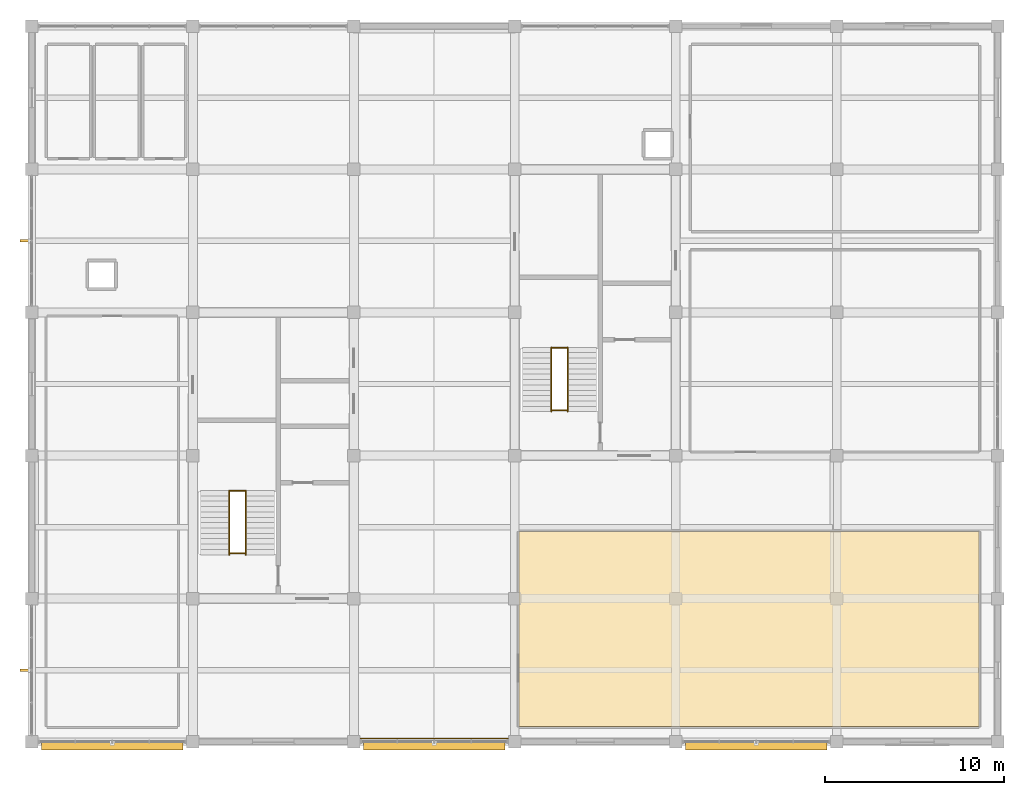
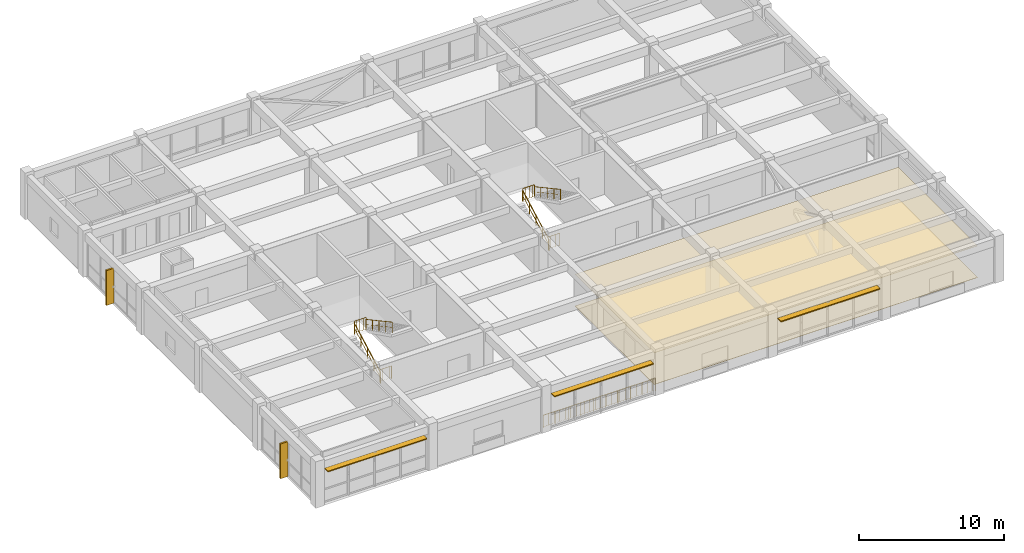
# One storey, part 13 of 13: 9 railings, 5 shading devices, 2 coverings.
"""IFC4 building model written with IfcOpenShell, lengths in metres."""

import ifcopenshell
import ifcopenshell.guid

model = None  # the IFC model being written
_history = None  # IfcOwnerHistory: only IFC2X3 demands one
_inside = {}  # id of a spatial element -> (the spatial element, [elements in it])
_under = {}  # id of a project, library or spatial element -> (it, [spatial elements below it])
_declared = {}  # id of a project -> (the project, [libraries it declares])
_typed = {}  # id of a type object -> (the type object, [elements of that type])
_made_of = {}  # id of a material, layer set ... -> (it, [elements and type objects made of it])


def new_model(schema):
    """Start an empty IFC model of exactly this schema.

    Asked for "IFC4X3", IfcOpenShell would pick the latest addendum, in which some entities
    have other attributes; the version numbers below select the first issue.
    IFC2X3 requires an IfcOwnerHistory on every rooted entity: one is made here for all.
    """
    global model, _history
    if schema == "IFC4X3":
        model = ifcopenshell.file(schema_version=(4, 3, 0, 0))
    else:
        model = ifcopenshell.file(schema=schema)
    _inside.clear()
    _under.clear()
    _declared.clear()
    _typed.clear()
    _made_of.clear()
    _history = None
    if model.schema == "IFC2X3":
        org = make("IfcOrganization", Name="unknown")
        user = make(
            "IfcPersonAndOrganization",
            ThePerson=make("IfcPerson", FamilyName="unknown"),
            TheOrganization=org,
        )
        app = make(
            "IfcApplication",
            ApplicationDeveloper=org,
            Version="unknown",
            ApplicationFullName="unknown",
            ApplicationIdentifier="unknown",
        )
        _history = make(
            "IfcOwnerHistory",
            OwningUser=user,
            OwningApplication=app,
            ChangeAction="ADDED",
            CreationDate=0,
        )
    return model


def make(cls, **values):
    """One entity of the class cls with the attributes given. An attribute that is None is left unset."""
    return model.create_entity(
        cls, **{name: value for name, value in values.items() if value is not None}
    )


def rooted(cls, **values):
    """An entity with a GlobalId (a new one), such as an element, a storey or a relation."""
    return make(cls, GlobalId=ifcopenshell.guid.new(), OwnerHistory=_history, **values)


def si_unit(unit_type, name, prefix=None):
    """IfcSIUnit, for example si_unit("LENGTHUNIT", "METRE", prefix="MILLI")."""
    return make("IfcSIUnit", UnitType=unit_type, Prefix=prefix, Name=name)


def assignment(units):
    """IfcUnitAssignment: the units of a project."""
    return None if units is None else make("IfcUnitAssignment", Units=units)


def point(xyz):
    """IfcCartesianPoint."""
    return None if xyz is None else make("IfcCartesianPoint", Coordinates=xyz)


def direction(xyz):
    """IfcDirection."""
    return None if xyz is None else make("IfcDirection", DirectionRatios=xyz)


def frame(location, z_axis=None, x_axis=None):
    """IfcAxis2Placement3D, a coordinate frame: its origin and axes. An axis left out is left unset."""
    return make(
        "IfcAxis2Placement3D",
        Location=point(location),
        Axis=direction(z_axis),
        RefDirection=direction(x_axis),
    )


def frame_2d(location, x_axis=None):
    """IfcAxis2Placement2D, a coordinate frame in the plane: its origin and x axis."""
    return make(
        "IfcAxis2Placement2D", Location=point(location), RefDirection=direction(x_axis)
    )


def origin():
    """The frame at (0, 0, 0) with its axes left unset."""
    return frame((0.0, 0.0, 0.0))


def origin_2d():
    """The frame at (0, 0) in the plane with its x axis left unset."""
    return frame_2d((0.0, 0.0))


def place(relative_to, where):
    """IfcLocalPlacement: puts the frame where relative to a parent placement (None: the world)."""
    return make(
        "IfcLocalPlacement", PlacementRelTo=relative_to, RelativePlacement=where
    )


def context(
    kind, dimensions, precision=None, world=None, true_north=None, identifier=None
):
    """IfcGeometricRepresentationContext, for example the 3D "Model" context."""
    return make(
        "IfcGeometricRepresentationContext",
        ContextIdentifier=identifier,
        ContextType=kind,
        CoordinateSpaceDimension=dimensions,
        Precision=precision,
        WorldCoordinateSystem=world,
        TrueNorth=true_north,
    )


def subcontext(parent, identifier, kind, view, scale=None):
    """IfcGeometricRepresentationSubContext, for example "Body" below "Model"."""
    return make(
        "IfcGeometricRepresentationSubContext",
        ContextIdentifier=identifier,
        ContextType=kind,
        ParentContext=parent,
        TargetScale=scale,
        TargetView=view,
    )


def project(units=None, contexts=None):
    """IfcProject with its units and contexts."""
    return rooted(
        "IfcProject",
        Name="project",
        RepresentationContexts=contexts,
        UnitsInContext=assignment(units),
    )


def spatial(cls, under=None, at=None, **own):
    """A site, building, storey or space (cls), placed at a placement, below another one or the project."""
    s = rooted(cls, ObjectPlacement=at, **own)
    if under is not None:
        _under.setdefault(under.id(), (under, []))[1].append(s)
    return s


def polyline(points):
    """IfcPolyline through the points."""
    return make("IfcPolyline", Points=[point(p) for p in points])


def profile(cls, at=None, kind="AREA", **sizes):
    """A parametric profile (cls). Its sizes go by their IFC names, for example OverallWidth=200.0."""
    return make(cls, ProfileType=kind, Position=at, **sizes)


def rectangle(**sizes):
    """IfcRectangleProfileDef."""
    return profile("IfcRectangleProfileDef", **sizes)


def circle(**sizes):
    """IfcCircleProfileDef."""
    return profile("IfcCircleProfileDef", **sizes)


def outline(outer, holes=None, kind="AREA"):
    """IfcArbitraryClosedProfileDef: a profile drawn as a closed curve; with holes, ...WithVoids."""
    if holes is None:
        return make("IfcArbitraryClosedProfileDef", ProfileType=kind, OuterCurve=outer)
    return make(
        "IfcArbitraryProfileDefWithVoids",
        ProfileType=kind,
        OuterCurve=outer,
        InnerCurves=holes,
    )


def extrude(swept, where, along, depth):
    """IfcExtrudedAreaSolid: the profile swept, set in the frame where, extruded along a direction by depth."""
    return make(
        "IfcExtrudedAreaSolid",
        SweptArea=swept,
        Position=where,
        ExtrudedDirection=direction(along),
        Depth=depth,
    )


def shape(context_of_items, identifier, shape_type, items):
    """IfcShapeRepresentation: the items that make up one representation, for example the "Body"."""
    return make(
        "IfcShapeRepresentation",
        ContextOfItems=context_of_items,
        RepresentationIdentifier=identifier,
        RepresentationType=shape_type,
        Items=items,
    )


def material(Name=None, Category=None):
    """IfcMaterial."""
    return make("IfcMaterial", Name=Name, Category=Category)


def layer(
    of_material, thickness, ventilated=None, Name=None, Category=None, Priority=None
):
    """IfcMaterialLayer: one layer of a wall or slab, of a material (None: an air gap)."""
    return make(
        "IfcMaterialLayer",
        Material=of_material,
        LayerThickness=thickness,
        IsVentilated=ventilated,
        Name=Name,
        Category=Category,
        Priority=Priority,
    )


def layer_set(layers, Name=None):
    """IfcMaterialLayerSet."""
    return make("IfcMaterialLayerSet", MaterialLayers=layers, LayerSetName=Name)


def made_of(thing, what):
    """Note that an element or type object is made of a material, layer set ...; save() writes the relation."""
    if what is not None:
        _made_of.setdefault(what.id(), (what, []))[1].append(thing)
    return thing


def type_object(cls, material=None, **own):
    """A type object (cls), such as IfcWallType, which elements share."""
    return made_of(rooted(cls, **own), material)


def element(
    cls,
    number,
    at=None,
    inside=None,
    cuts=None,
    type_object=None,
    material=None,
    context=None,
    identifier="Body",
    shape_type=None,
    held_by="IfcProductDefinitionShape",
    body=None,
    shapes=None,
    **own,
):
    """One element of the class cls, such as IfcWall. Its Tag is "e" and its number.

    at: its placement. inside: the storey or other place that contains it. cuts: it is an
    opening in that element (IfcRelVoidsElement). A single representation is given by context,
    identifier, shape_type and body (its items); several are given by shapes. held_by: the class
    of the entity that holds the representations. save() writes the other relations.
    """
    e = rooted(cls, Tag="e%d" % number, ObjectPlacement=at, **own)
    if body is not None:
        shapes = [shape(context, identifier, shape_type, body)]
    if shapes is not None:
        e.Representation = make(held_by, Representations=shapes)
    if inside is not None:
        _inside.setdefault(inside.id(), (inside, []))[1].append(e)
    if cuts is not None:
        rooted(
            "IfcRelVoidsElement", RelatingBuildingElement=cuts, RelatedOpeningElement=e
        )
    if type_object is not None:
        _typed.setdefault(type_object.id(), (type_object, []))[1].append(e)
    return made_of(e, material)


def aggregate(whole, parts):
    """IfcRelAggregates: a whole, such as a stair, and the parts it consists of."""
    return rooted("IfcRelAggregates", RelatingObject=whole, RelatedObjects=parts)


def save(model, path):
    """Write the relations noted so far, then the file.

    IfcRelAggregates (storeys below a building ...), IfcRelContainedInSpatialStructure (elements
    in a storey), IfcRelDefinesByType, IfcRelAssociatesMaterial and IfcRelDeclares: one each for
    every whole, place, type object, material and project.
    """
    for whole, parts in _under.values():
        aggregate(whole, parts)
    for where, things in _inside.values():
        rooted(
            "IfcRelContainedInSpatialStructure",
            RelatedElements=things,
            RelatingStructure=where,
        )
    for kind, things in _typed.values():
        rooted("IfcRelDefinesByType", RelatedObjects=things, RelatingType=kind)
    for what, things in _made_of.values():
        rooted("IfcRelAssociatesMaterial", RelatedObjects=things, RelatingMaterial=what)
    for by, libraries in _declared.values():
        rooted("IfcRelDeclares", RelatingContext=by, RelatedDefinitions=libraries)
    model.write(path)


model = new_model("IFC4")

# Units and contexts
model_context = context("Model", 3, precision=1e-05, world=origin(), true_north=direction((0.0, 1.0)))
body_context = subcontext(model_context, "Body", "Model", "MODEL_VIEW")
ifc_project = project(units=[si_unit("LENGTHUNIT", "METRE"), si_unit("AREAUNIT", "SQUARE_METRE"), si_unit("VOLUMEUNIT", "CUBIC_METRE"), si_unit("PLANEANGLEUNIT", "RADIAN"), si_unit("MASSUNIT", "GRAM", prefix="KILO")], contexts=[model_context])

# Site, building, storey
site_placement = place(None, origin())
site = spatial("IfcSite", under=ifc_project, at=site_placement, CompositionType="ELEMENT")
building_placement = place(site_placement, origin())
building = spatial("IfcBuilding", under=site, at=building_placement, Name="Zaverband Oceanarium and Marine Research Institute", CompositionType="ELEMENT")
storey_placement = place(building_placement, frame((0.0, 0.0, 60.89990234375)))
storey = spatial("IfcBuildingStorey", under=building, at=storey_placement, Name="L15", CompositionType="ELEMENT", Elevation=60.89990234375)

# Coverings
ifc_material_1 = material(Name="Perforated mineral-fibre acoustic ceiling tile")
ifc_layer_1 = layer(ifc_material_1, 0.02490234375, Name="Perforated mineral-fibre acoustic ceiling tile")
ifc_layer_set_1 = layer_set([ifc_layer_1], Name="Perforated mineral-fibre acoustic ceiling tile")
covering_type_1 = type_object("IfcCoveringType", Name="CLG-AC-15", PredefinedType="CEILING", material=ifc_layer_set_1)
covering_1_placement = place(storey_placement, frame((0.0, 0.0, 2.66015625)))
element("IfcCovering", 1, at=covering_1_placement, inside=storey, type_object=covering_type_1, Name="Suspended acoustic ceiling CLG-AC-15", PredefinedType="CEILING", context=body_context, shape_type="SweptSolid", body=[
    extrude(outline(polyline([(36.25, 72.85009765625), (61.949951171875, 72.85009765625), (61.949951171875, 83.75), (36.25, 83.75), (36.25, 72.85009765625)])), origin(), (0.0, 0.0, 1.0), 0.02490234375),
])
ifc_material_2 = material(Name="Polished marine terrazzo and seamless laboratory epoxy flooring")
ifc_layer_2 = layer(ifc_material_2, 0.02490234375, Name="Polished marine terrazzo and seamless laboratory epoxy flooring")
ifc_layer_set_2 = layer_set([ifc_layer_2], Name="Polished marine terrazzo and seamless laboratory epoxy flooring")
covering_type_2 = type_object("IfcCoveringType", Name="FLR-TRZ-20", PredefinedType="FLOORING", material=ifc_layer_set_2)
covering_2_placement = place(storey_placement, origin())
element("IfcCovering", 2, at=covering_2_placement, inside=storey, type_object=covering_type_2, Name="Terrazzo and marine epoxy floor finish FLR-TRZ-20", PredefinedType="FLOORING", context=body_context, shape_type="SweptSolid", body=[
    extrude(outline(polyline([(36.25, 72.85009765625), (61.949951171875, 72.85009765625), (61.949951171875, 83.75), (36.25, 83.75), (36.25, 72.85009765625)])), origin(), (0.0, 0.0, 1.0), 0.025146484375),
])

# Railings
ifc_material_3 = material(Name="Steel S355", Category="steel")
ifc_layer_3 = layer(ifc_material_3, 0.06005859375, Name="Steel S355")
ifc_layer_set_3 = layer_set([ifc_layer_3], Name="Steel S355")
railing_type_1 = type_object("IfcRailingType", Name="GRD-1100", PredefinedType="BALUSTRADE", material=ifc_layer_set_3)
for number, where, name in (
    (3, (20.0400390625, 86.030029296875, 1.9501953125), "1100 mm steel post-and-baluster safety guard GRD-1100"),
    (4, (20.0400390625, 82.530029296875, 0.0), "1100 mm steel post-and-baluster safety guard GRD-1100"),
    (5, (38.0400390625, 94.030029296875, 1.9501953125), "1100 mm steel post-and-baluster safety guard GRD-1100"),
    (6, (38.0400390625, 90.530029296875, 0.0), "1100 mm steel post-and-baluster safety guard GRD-1100"),
):
    element("IfcRailing", number, at=place(storey_placement, frame(where)), inside=storey, type_object=railing_type_1, Name=name, PredefinedType="BALUSTRADE", context=body_context, shape_type="SweptSolid", body=[
        extrude(circle(Radius=0.02392578125, at=origin_2d()), frame((0.0, 0.0, 1.076171875), z_axis=(1.0, 0.0, 0.0), x_axis=(0.0, 1.0, 0.0)), (0.0, 0.0, 1.0), 0.919921875),
        extrude(circle(Radius=0.009033203125, at=origin_2d()), frame((0.0, 0.0, 0.10009765625), z_axis=(1.0, 0.0, 0.0), x_axis=(0.0, 1.0, 0.0)), (0.0, 0.0, 1.0), 0.919921875),
        extrude(circle(Radius=0.009033203125, at=origin_2d()), frame((0.18408203125, 0.0, 0.10009765625)), (0.0, 0.0, 1.0), 0.951904296875),
        extrude(circle(Radius=0.009033203125, at=origin_2d()), frame((0.367919921875, 0.0, 0.10009765625)), (0.0, 0.0, 1.0), 0.951904296875),
        extrude(circle(Radius=0.009033203125, at=origin_2d()), frame((0.552001953125, 0.0, 0.10009765625)), (0.0, 0.0, 1.0), 0.951904296875),
        extrude(circle(Radius=0.009033203125, at=origin_2d()), frame((0.73583984375, 0.0, 0.10009765625)), (0.0, 0.0, 1.0), 0.951904296875),
        extrude(circle(Radius=0.02099609375, at=origin_2d()), origin(), (0.0, 0.0, 1.0), 1.052001953125),
        extrude(circle(Radius=0.02099609375, at=origin_2d()), frame((0.919921875, 0.0, 0.0)), (0.0, 0.0, 1.0), 1.052001953125),
    ])
railing_1_placement = place(storey_placement, frame((27.050048828125, 72.179931640625, 0.0)))
element("IfcRailing", 7, at=railing_1_placement, inside=storey, type_object=railing_type_1, Name="1100 mm steel post-and-baluster safety guard GRD-1100", PredefinedType="BALUSTRADE", context=body_context, shape_type="SweptSolid", body=[
    extrude(circle(Radius=0.02392578125, at=origin_2d()), frame((0.0, 0.0, 1.076171875), z_axis=(1.0, 0.0, 0.0), x_axis=(0.0, 1.0, 0.0)), (0.0, 0.0, 1.0), 8.89990234375),
    extrude(circle(Radius=0.009033203125, at=origin_2d()), frame((0.0, 0.0, 0.10009765625), z_axis=(1.0, 0.0, 0.0), x_axis=(0.0, 1.0, 0.0)), (0.0, 0.0, 1.0), 8.89990234375),
    extrude(circle(Radius=0.009033203125, at=origin_2d()), frame((0.217041015625, 0.0, 0.10009765625)), (0.0, 0.0, 1.0), 0.951904296875),
    extrude(circle(Radius=0.009033203125, at=origin_2d()), frame((0.43408203125, 0.0, 0.10009765625)), (0.0, 0.0, 1.0), 0.951904296875),
    extrude(circle(Radius=0.009033203125, at=origin_2d()), frame((0.651123046875, 0.0, 0.10009765625)), (0.0, 0.0, 1.0), 0.951904296875),
    extrude(circle(Radius=0.009033203125, at=origin_2d()), frame((0.8681640625, 0.0, 0.10009765625)), (0.0, 0.0, 1.0), 0.951904296875),
    extrude(circle(Radius=0.009033203125, at=origin_2d()), frame((1.08544921875, 0.0, 0.10009765625)), (0.0, 0.0, 1.0), 0.951904296875),
    extrude(circle(Radius=0.009033203125, at=origin_2d()), frame((1.302490234375, 0.0, 0.10009765625)), (0.0, 0.0, 1.0), 0.951904296875),
    extrude(circle(Radius=0.009033203125, at=origin_2d()), frame((1.51953125, 0.0, 0.10009765625)), (0.0, 0.0, 1.0), 0.951904296875),
    extrude(circle(Radius=0.009033203125, at=origin_2d()), frame((1.736572265625, 0.0, 0.10009765625)), (0.0, 0.0, 1.0), 0.951904296875),
    extrude(circle(Radius=0.009033203125, at=origin_2d()), frame((1.95361328125, 0.0, 0.10009765625)), (0.0, 0.0, 1.0), 0.951904296875),
    extrude(circle(Radius=0.009033203125, at=origin_2d()), frame((2.170654296875, 0.0, 0.10009765625)), (0.0, 0.0, 1.0), 0.951904296875),
    extrude(circle(Radius=0.009033203125, at=origin_2d()), frame((2.3876953125, 0.0, 0.10009765625)), (0.0, 0.0, 1.0), 0.951904296875),
    extrude(circle(Radius=0.009033203125, at=origin_2d()), frame((2.604736328125, 0.0, 0.10009765625)), (0.0, 0.0, 1.0), 0.951904296875),
    extrude(circle(Radius=0.009033203125, at=origin_2d()), frame((2.822021484375, 0.0, 0.10009765625)), (0.0, 0.0, 1.0), 0.951904296875),
    extrude(circle(Radius=0.009033203125, at=origin_2d()), frame((3.0390625, 0.0, 0.10009765625)), (0.0, 0.0, 1.0), 0.951904296875),
    extrude(circle(Radius=0.009033203125, at=origin_2d()), frame((3.256103515625, 0.0, 0.10009765625)), (0.0, 0.0, 1.0), 0.951904296875),
    extrude(circle(Radius=0.009033203125, at=origin_2d()), frame((3.47314453125, 0.0, 0.10009765625)), (0.0, 0.0, 1.0), 0.951904296875),
    extrude(circle(Radius=0.009033203125, at=origin_2d()), frame((3.690185546875, 0.0, 0.10009765625)), (0.0, 0.0, 1.0), 0.951904296875),
    extrude(circle(Radius=0.009033203125, at=origin_2d()), frame((3.9072265625, 0.0, 0.10009765625)), (0.0, 0.0, 1.0), 0.951904296875),
    extrude(circle(Radius=0.009033203125, at=origin_2d()), frame((4.124267578125, 0.0, 0.10009765625)), (0.0, 0.0, 1.0), 0.951904296875),
    extrude(circle(Radius=0.009033203125, at=origin_2d()), frame((4.34130859375, 0.0, 0.10009765625)), (0.0, 0.0, 1.0), 0.951904296875),
    extrude(circle(Radius=0.009033203125, at=origin_2d()), frame((4.55859375, 0.0, 0.10009765625)), (0.0, 0.0, 1.0), 0.951904296875),
    extrude(circle(Radius=0.009033203125, at=origin_2d()), frame((4.775634765625, 0.0, 0.10009765625)), (0.0, 0.0, 1.0), 0.951904296875),
    extrude(circle(Radius=0.009033203125, at=origin_2d()), frame((4.99267578125, 0.0, 0.10009765625)), (0.0, 0.0, 1.0), 0.951904296875),
    extrude(circle(Radius=0.009033203125, at=origin_2d()), frame((5.209716796875, 0.0, 0.10009765625)), (0.0, 0.0, 1.0), 0.951904296875),
    extrude(circle(Radius=0.009033203125, at=origin_2d()), frame((5.4267578125, 0.0, 0.10009765625)), (0.0, 0.0, 1.0), 0.951904296875),
    extrude(circle(Radius=0.009033203125, at=origin_2d()), frame((5.643798828125, 0.0, 0.10009765625)), (0.0, 0.0, 1.0), 0.951904296875),
    extrude(circle(Radius=0.009033203125, at=origin_2d()), frame((5.86083984375, 0.0, 0.10009765625)), (0.0, 0.0, 1.0), 0.951904296875),
    extrude(circle(Radius=0.009033203125, at=origin_2d()), frame((6.077880859375, 0.0, 0.10009765625)), (0.0, 0.0, 1.0), 0.951904296875),
    extrude(circle(Radius=0.009033203125, at=origin_2d()), frame((6.295166015625, 0.0, 0.10009765625)), (0.0, 0.0, 1.0), 0.951904296875),
    extrude(circle(Radius=0.009033203125, at=origin_2d()), frame((6.51220703125, 0.0, 0.10009765625)), (0.0, 0.0, 1.0), 0.951904296875),
    extrude(circle(Radius=0.009033203125, at=origin_2d()), frame((6.729248046875, 0.0, 0.10009765625)), (0.0, 0.0, 1.0), 0.951904296875),
    extrude(circle(Radius=0.009033203125, at=origin_2d()), frame((6.9462890625, 0.0, 0.10009765625)), (0.0, 0.0, 1.0), 0.951904296875),
    extrude(circle(Radius=0.009033203125, at=origin_2d()), frame((7.163330078125, 0.0, 0.10009765625)), (0.0, 0.0, 1.0), 0.951904296875),
    extrude(circle(Radius=0.009033203125, at=origin_2d()), frame((7.38037109375, 0.0, 0.10009765625)), (0.0, 0.0, 1.0), 0.951904296875),
    extrude(circle(Radius=0.009033203125, at=origin_2d()), frame((7.597412109375, 0.0, 0.10009765625)), (0.0, 0.0, 1.0), 0.951904296875),
    extrude(circle(Radius=0.009033203125, at=origin_2d()), frame((7.814453125, 0.0, 0.10009765625)), (0.0, 0.0, 1.0), 0.951904296875),
    extrude(circle(Radius=0.009033203125, at=origin_2d()), frame((8.03173828125, 0.0, 0.10009765625)), (0.0, 0.0, 1.0), 0.951904296875),
    extrude(circle(Radius=0.009033203125, at=origin_2d()), frame((8.248779296875, 0.0, 0.10009765625)), (0.0, 0.0, 1.0), 0.951904296875),
    extrude(circle(Radius=0.009033203125, at=origin_2d()), frame((8.4658203125, 0.0, 0.10009765625)), (0.0, 0.0, 1.0), 0.951904296875),
    extrude(circle(Radius=0.009033203125, at=origin_2d()), frame((8.682861328125, 0.0, 0.10009765625)), (0.0, 0.0, 1.0), 0.951904296875),
    extrude(circle(Radius=0.02099609375, at=origin_2d()), origin(), (0.0, 0.0, 1.0), 1.052001953125),
    extrude(circle(Radius=0.02099609375, at=origin_2d()), frame((0.98876953125, 0.0, 0.0)), (0.0, 0.0, 1.0), 1.052001953125),
    extrude(circle(Radius=0.02099609375, at=origin_2d()), frame((1.977783203125, 0.0, 0.0)), (0.0, 0.0, 1.0), 1.052001953125),
    extrude(circle(Radius=0.02099609375, at=origin_2d()), frame((2.966552734375, 0.0, 0.0)), (0.0, 0.0, 1.0), 1.052001953125),
    extrude(circle(Radius=0.02099609375, at=origin_2d()), frame((3.95556640625, 0.0, 0.0)), (0.0, 0.0, 1.0), 1.052001953125),
    extrude(circle(Radius=0.02099609375, at=origin_2d()), frame((4.9443359375, 0.0, 0.0)), (0.0, 0.0, 1.0), 1.052001953125),
    extrude(circle(Radius=0.02099609375, at=origin_2d()), frame((5.933349609375, 0.0, 0.0)), (0.0, 0.0, 1.0), 1.052001953125),
    extrude(circle(Radius=0.02099609375, at=origin_2d()), frame((6.922119140625, 0.0, 0.0)), (0.0, 0.0, 1.0), 1.052001953125),
    extrude(circle(Radius=0.02099609375, at=origin_2d()), frame((7.9111328125, 0.0, 0.0)), (0.0, 0.0, 1.0), 1.052001953125),
    extrude(circle(Radius=0.02099609375, at=origin_2d()), frame((8.89990234375, 0.0, 0.0)), (0.0, 0.0, 1.0), 1.052001953125),
])
ifc_layer_4 = layer(ifc_material_3, 0.050048828125, Name="Steel S355")
ifc_layer_set_4 = layer_set([ifc_layer_4], Name="Steel S355")
railing_type_2 = type_object("IfcRailingType", Name="HR-920", PredefinedType="HANDRAIL", material=ifc_layer_set_4)
railing_2_placement = place(storey_placement, frame((20.0400390625, 82.449951171875, 0.0)))
element("IfcRailing", 8, at=railing_2_placement, inside=storey, type_object=railing_type_2, Name="920 mm continuous tubular stair and ramp handrail HR-920", PredefinedType="HANDRAIL", context=body_context, shape_type="SweptSolid", body=[
    extrude(circle(Radius=0.02392578125, at=origin_2d()), frame((0.0, 0.0, 0.89599609375), z_axis=(0.0, 0.879277399237, 0.476310041035), x_axis=(-1.0, 0.0, 0.0)), (0.0, 0.0, 1.0), 4.094482421875),
    extrude(circle(Radius=0.009033203125, at=origin_2d()), frame((0.0, 0.0, 0.4599609375), z_axis=(0.0, 0.879277399237, 0.476310041035), x_axis=(-1.0, 0.0, 0.0)), (0.0, 0.0, 1.0), 4.094482421875),
    extrude(circle(Radius=0.02099609375, at=origin_2d()), origin(), (0.0, 0.0, 1.0), 0.871826171875),
    extrude(circle(Radius=0.02099609375, at=origin_2d()), frame((0.0, 0.89990234375, 0.487548828125)), (0.0, 0.0, 1.0), 0.871826171875),
    extrude(circle(Radius=0.02099609375, at=origin_2d()), frame((0.0, 1.800048828125, 0.97509765625)), (0.0, 0.0, 1.0), 0.871826171875),
    extrude(circle(Radius=0.02099609375, at=origin_2d()), frame((0.0, 2.7001953125, 1.462646484375)), (0.0, 0.0, 1.0), 0.871826171875),
    extrude(circle(Radius=0.02099609375, at=origin_2d()), frame((0.0, 3.60009765625, 1.9501953125)), (0.0, 0.0, 1.0), 0.871826171875),
])
railing_3_placement = place(storey_placement, frame((20.9599609375, 86.050048828125, 1.9501953125)))
element("IfcRailing", 9, at=railing_3_placement, inside=storey, type_object=railing_type_2, Name="920 mm continuous tubular stair and ramp handrail HR-920", PredefinedType="HANDRAIL", context=body_context, shape_type="SweptSolid", body=[
    extrude(circle(Radius=0.02392578125, at=origin_2d()), frame((0.0, 0.0, 0.89599609375), z_axis=(0.0, -0.879302371543, 0.476263938798), x_axis=(1.0, 0.0, 0.0)), (0.0, 0.0, 1.0), 4.09423828125),
    extrude(circle(Radius=0.009033203125, at=origin_2d()), frame((0.0, 0.0, 0.4599609375), z_axis=(0.0, -0.879302371543, 0.476263938798), x_axis=(1.0, 0.0, 0.0)), (0.0, 0.0, 1.0), 4.09423828125),
    extrude(circle(Radius=0.02099609375, at=origin_2d()), origin(), (0.0, 0.0, 1.0), 0.871826171875),
    extrude(circle(Radius=0.02099609375, at=origin_2d()), frame((0.0, -0.89990234375, 0.487548828125)), (0.0, 0.0, 1.0), 0.871826171875),
    extrude(circle(Radius=0.02099609375, at=origin_2d()), frame((0.0, -1.800048828125, 0.97509765625)), (0.0, 0.0, 1.0), 0.871826171875),
    extrude(circle(Radius=0.02099609375, at=origin_2d()), frame((0.0, -2.7001953125, 1.46240234375)), (0.0, 0.0, 1.0), 0.871826171875),
    extrude(circle(Radius=0.02099609375, at=origin_2d()), frame((0.0, -3.60009765625, 1.949951171875)), (0.0, 0.0, 1.0), 0.871826171875),
])
railing_4_placement = place(storey_placement, frame((38.0400390625, 90.449951171875, 0.0)))
element("IfcRailing", 10, at=railing_4_placement, inside=storey, type_object=railing_type_2, Name="920 mm continuous tubular stair and ramp handrail HR-920", PredefinedType="HANDRAIL", context=body_context, shape_type="SweptSolid", body=[
    extrude(circle(Radius=0.02392578125, at=origin_2d()), frame((0.0, 0.0, 0.89599609375), z_axis=(0.0, 0.879277399237, 0.476310041035), x_axis=(-1.0, 0.0, 0.0)), (0.0, 0.0, 1.0), 4.094482421875),
    extrude(circle(Radius=0.009033203125, at=origin_2d()), frame((0.0, 0.0, 0.4599609375), z_axis=(0.0, 0.879277399237, 0.476310041035), x_axis=(-1.0, 0.0, 0.0)), (0.0, 0.0, 1.0), 4.094482421875),
    extrude(circle(Radius=0.02099609375, at=origin_2d()), origin(), (0.0, 0.0, 1.0), 0.871826171875),
    extrude(circle(Radius=0.02099609375, at=origin_2d()), frame((0.0, 0.89990234375, 0.487548828125)), (0.0, 0.0, 1.0), 0.871826171875),
    extrude(circle(Radius=0.02099609375, at=origin_2d()), frame((0.0, 1.800048828125, 0.97509765625)), (0.0, 0.0, 1.0), 0.871826171875),
    extrude(circle(Radius=0.02099609375, at=origin_2d()), frame((0.0, 2.7001953125, 1.462646484375)), (0.0, 0.0, 1.0), 0.871826171875),
    extrude(circle(Radius=0.02099609375, at=origin_2d()), frame((0.0, 3.60009765625, 1.9501953125)), (0.0, 0.0, 1.0), 0.871826171875),
])
railing_5_placement = place(storey_placement, frame((38.9599609375, 94.050048828125, 1.9501953125)))
element("IfcRailing", 11, at=railing_5_placement, inside=storey, type_object=railing_type_2, Name="920 mm continuous tubular stair and ramp handrail HR-920", PredefinedType="HANDRAIL", context=body_context, shape_type="SweptSolid", body=[
    extrude(circle(Radius=0.02392578125, at=origin_2d()), frame((0.0, 0.0, 0.89599609375), z_axis=(0.0, -0.879302371543, 0.476263938798), x_axis=(1.0, 0.0, 0.0)), (0.0, 0.0, 1.0), 4.09423828125),
    extrude(circle(Radius=0.009033203125, at=origin_2d()), frame((0.0, 0.0, 0.4599609375), z_axis=(0.0, -0.879302371543, 0.476263938798), x_axis=(1.0, 0.0, 0.0)), (0.0, 0.0, 1.0), 4.09423828125),
    extrude(circle(Radius=0.02099609375, at=origin_2d()), origin(), (0.0, 0.0, 1.0), 0.871826171875),
    extrude(circle(Radius=0.02099609375, at=origin_2d()), frame((0.0, -0.89990234375, 0.487548828125)), (0.0, 0.0, 1.0), 0.871826171875),
    extrude(circle(Radius=0.02099609375, at=origin_2d()), frame((0.0, -1.800048828125, 0.97509765625)), (0.0, 0.0, 1.0), 0.871826171875),
    extrude(circle(Radius=0.02099609375, at=origin_2d()), frame((0.0, -2.7001953125, 1.46240234375)), (0.0, 0.0, 1.0), 0.871826171875),
    extrude(circle(Radius=0.02099609375, at=origin_2d()), frame((0.0, -3.60009765625, 1.949951171875)), (0.0, 0.0, 1.0), 0.871826171875),
])

# Shading devices
ifc_material_4 = material(Name="Concrete C40/50 precast brise-soleil", Category="concrete")
ifc_layer_5 = layer(ifc_material_4, 0.139892578125, Name="Concrete C40/50 precast brise-soleil")
ifc_layer_set_5 = layer_set([ifc_layer_5], Name="Concrete C40/50 precast brise-soleil")
shading_device_type_1 = type_object("IfcShadingDeviceType", Name="SHD-FIN-600", PredefinedType="JALOUSIE", material=ifc_layer_set_5)
for number, where, z_axis, x_axis, name in (
    (12, (8.93994140625, 76.0, 0.0), (0.0, 0.0, 1.0), (-1.0, 0.0, 0.0), "600 mm vertical precast brise-soleil fin SHD-FIN-600"),
    (13, (8.93994140625, 100.0, 0.0), (0.0, 0.0, 1.0), (-1.0, 0.0, 0.0), "600 mm vertical precast brise-soleil fin SHD-FIN-600"),
):
    element("IfcShadingDevice", number, at=place(storey_placement, frame(where, z_axis=z_axis, x_axis=x_axis)), inside=storey, type_object=shading_device_type_1, Name=name, PredefinedType="JALOUSIE", context=body_context, shape_type="SweptSolid", body=[
        extrude(rectangle(XDim=0.599853515625, YDim=0.139892578125, at=frame_2d((0.2998046875, 0.0))), origin(), (0.0, 0.0, 1.0), 2.93017578125),
    ])
ifc_material_5 = material(Name="Anodized bronze marine-grade aluminium", Category="aluminium")
ifc_layer_6 = layer(ifc_material_5, 0.080078125, Name="Anodized bronze marine-grade aluminium")
ifc_layer_set_6 = layer_set([ifc_layer_6], Name="Anodized bronze marine-grade aluminium")
shading_device_type_2 = type_object("IfcShadingDeviceType", Name="SHD-LVR-450", PredefinedType="USERDEFINED", material=ifc_layer_set_6)
for number, where, z_axis, x_axis, name in (
    (14, (9.554931640625, 71.760009765625, 2.800048828125), (0.0, 0.0, 1.0), (1.0, 0.0, 0.0), "450 mm horizontal solar shading louvre SHD-LVR-450"),
    (15, (27.554931640625, 71.760009765625, 2.800048828125), (0.0, 0.0, 1.0), (1.0, 0.0, 0.0), "450 mm horizontal solar shading louvre SHD-LVR-450"),
    (16, (45.554931640625, 71.760009765625, 2.800048828125), (0.0, 0.0, 1.0), (1.0, 0.0, 0.0), "450 mm horizontal solar shading louvre SHD-LVR-450"),
):
    element("IfcShadingDevice", number, at=place(storey_placement, frame(where, z_axis=z_axis, x_axis=x_axis)), inside=storey, type_object=shading_device_type_2, Name=name, ObjectType="LOUVRE", PredefinedType="USERDEFINED", context=body_context, shape_type="SweptSolid", body=[
        extrude(rectangle(XDim=7.89013671875, YDim=0.449951171875, at=frame_2d((3.945068359375, 0.0))), origin(), (0.0, 0.0, 1.0), 0.080078125),
    ])

save(model, "model.ifc")
